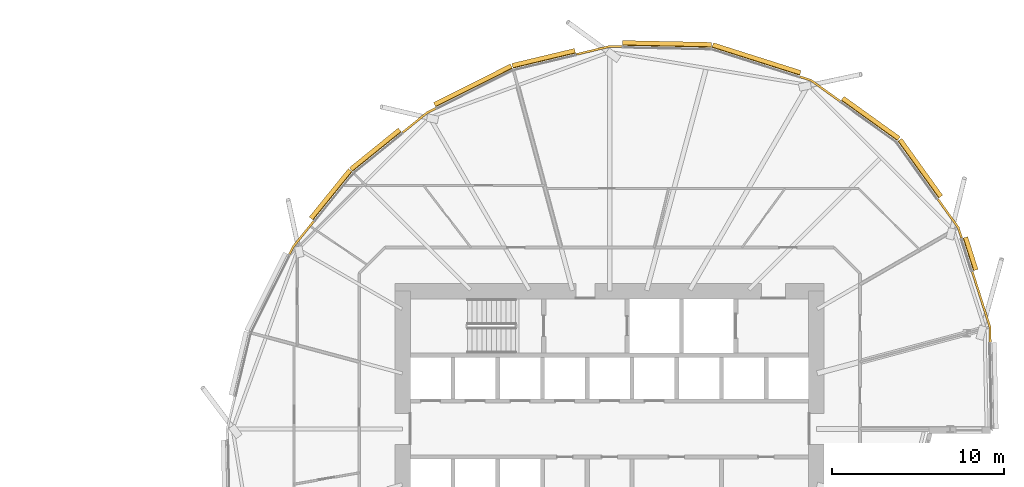
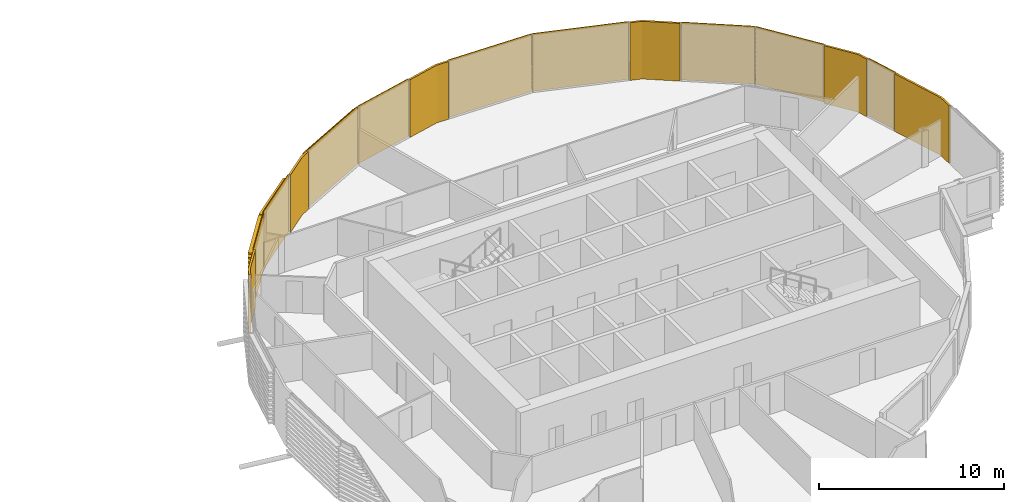
# One storey, part 38 of 38: 15 coverings.
"""IFC4 building model written with IfcOpenShell, lengths in metres."""

from ifc_helpers import new_model, si_unit, direction, frame, origin, place, context, subcontext, project, spatial, polyline, outline, extrude, material, layer, layer_set, material_profile, profile_set, type_object, element, save


model = new_model("IFC4")

# Units and contexts
model_context = context("Model", 3, precision=1e-05, world=origin(), true_north=direction((0.0, 1.0)))
body_context = subcontext(model_context, "Body", "Model", "MODEL_VIEW")
ifc_project = project(units=[si_unit("LENGTHUNIT", "METRE"), si_unit("AREAUNIT", "SQUARE_METRE"), si_unit("VOLUMEUNIT", "CUBIC_METRE"), si_unit("PLANEANGLEUNIT", "RADIAN"), si_unit("MASSUNIT", "GRAM", prefix="KILO")], contexts=[model_context])

# Site, building, storey
site_placement = place(None, origin())
site = spatial("IfcSite", under=ifc_project, at=site_placement, CompositionType="ELEMENT")
building_placement = place(site_placement, origin())
building = spatial("IfcBuilding", under=site, at=building_placement, Name="Rimbun Link Towers", CompositionType="ELEMENT")
storey_placement = place(building_placement, frame((0.0, 0.0, 71.800048828125)))
storey = spatial("IfcBuildingStorey", under=building, at=storey_placement, Name="L17", CompositionType="ELEMENT", Elevation=71.800048828125)

# Coverings
ifc_material_1 = material(Name="Terracotta", Category="masonry")
ifc_layer = layer(ifc_material_1, 0.1201171875)
ifc_layer_set = layer_set([ifc_layer], Name="LINK PIER terracotta cladding 120")
covering_type_1 = type_object("IfcCoveringType", Name="LINK PIER terracotta cladding 120", PredefinedType="CLADDING", material=ifc_layer_set)
covering_1_placement = place(storey_placement, origin())
element("IfcCovering", 1, at=covering_1_placement, inside=storey, type_object=covering_type_1, Name="LINK PIER cladding", PredefinedType="CLADDING", context=body_context, shape_type="SweptSolid", body=[
    extrude(outline(polyline([(42.759765625, 20.378662109375), (43.398193359375, 20.175537109375), (45.080078125, 18.96875), (45.150146484375, 19.066162109375), (43.452880859375, 20.2841796875), (42.796142578125, 20.492919921875), (42.759765625, 20.378662109375)])), origin(), (0.0, 0.0, 1.0), 3.800048828125),
])
covering_2_placement = place(storey_placement, origin())
element("IfcCovering", 2, at=covering_2_placement, inside=storey, type_object=covering_type_1, Name="LINK PIER cladding", PredefinedType="CLADDING", context=body_context, shape_type="SweptSolid", body=[
    extrude(outline(polyline([(29.833984375, 21.670654296875), (31.75, 22.12890625), (32.4697265625, 22.11376953125), (32.472412109375, 22.23388671875), (31.737060546875, 22.249267578125), (29.80615234375, 21.78759765625), (29.833984375, 21.670654296875)])), origin(), (0.0, 0.0, 1.0), 3.800048828125),
])
covering_3_placement = place(storey_placement, origin())
element("IfcCovering", 3, at=covering_3_placement, inside=storey, type_object=covering_type_1, Name="LINK PIER cladding", PredefinedType="CLADDING", context=body_context, shape_type="SweptSolid", body=[
    extrude(outline(polyline([(19.77490234375, 17.146240234375), (21.189453125, 18.291259765625), (21.698974609375, 18.547119140625), (21.64501953125, 18.654296875), (21.1240234375, 18.392822265625), (19.699462890625, 17.239501953125), (19.77490234375, 17.146240234375)])), origin(), (0.0, 0.0, 1.0), 3.800048828125),
])
covering_4_placement = place(storey_placement, origin())
element("IfcCovering", 4, at=covering_4_placement, inside=storey, type_object=covering_type_1, Name="LINK PIER cladding", PredefinedType="CLADDING", context=body_context, shape_type="SweptSolid", body=[
    extrude(outline(polyline([(13.225341796875, 10.095703125), (13.458740234375, 10.560546875), (14.63525390625, 12.013916015625), (14.5419921875, 12.089599609375), (13.357177734375, 10.6259765625), (13.1181640625, 10.149658203125), (13.225341796875, 10.095703125)])), origin(), (0.0, 0.0, 1.0), 3.800048828125),
])
covering_5_placement = place(storey_placement, origin())
element("IfcCovering", 5, at=covering_5_placement, inside=storey, type_object=covering_type_1, Name="LINK PIER cladding", PredefinedType="CLADDING", context=body_context, shape_type="SweptSolid", body=[
    extrude(outline(polyline([(52.7333984375, 9.107666015625), (53.7548828125, 5.896240234375), (53.773193359375, 5.0263671875), (53.89306640625, 5.02880859375), (53.87451171875, 5.916015625), (52.847900390625, 9.14404296875), (52.7333984375, 9.107666015625)])), origin(), (0.0, 0.0, 1.0), 3.800048828125),
])
covering_6_placement = place(storey_placement, origin())
element("IfcCovering", 6, at=covering_6_placement, inside=storey, type_object=covering_type_1, Name="LINK PIER cladding", PredefinedType="CLADDING", context=body_context, shape_type="SweptSolid", body=[
    extrude(outline(polyline([(50.747802734375, 13.28955078125), (51.925537109375, 11.648193359375), (52.11328125, 11.057373046875), (52.227783203125, 11.09375), (52.0341796875, 11.702880859375), (50.84521484375, 13.359375), (50.747802734375, 13.28955078125)])), origin(), (0.0, 0.0, 1.0), 3.800048828125),
])
ifc_material_2 = material(Name="Terracotta", Category="masonry")
ifc_material_profile = material_profile(ifc_material_2, outline(polyline([(0.123046875, 0.0), (0.1630859375, 0.0), (0.1630859375, 0.10009765625), (0.423095703125, 0.10009765625), (0.423095703125, 0.219970703125), (0.1630859375, 0.219970703125), (0.1630859375, 0.39990234375), (0.423095703125, 0.39990234375), (0.423095703125, 0.52001953125), (0.1630859375, 0.52001953125), (0.1630859375, 0.699951171875), (0.423095703125, 0.699951171875), (0.423095703125, 0.820068359375), (0.1630859375, 0.820068359375), (0.1630859375, 1.0), (0.423095703125, 1.0), (0.423095703125, 1.1201171875), (0.1630859375, 1.1201171875), (0.1630859375, 1.300048828125), (0.423095703125, 1.300048828125), (0.423095703125, 1.419921875), (0.1630859375, 1.419921875), (0.1630859375, 1.60009765625), (0.423095703125, 1.60009765625), (0.423095703125, 1.719970703125), (0.1630859375, 1.719970703125), (0.1630859375, 1.89990234375), (0.423095703125, 1.89990234375), (0.423095703125, 2.02001953125), (0.1630859375, 2.02001953125), (0.1630859375, 2.199951171875), (0.423095703125, 2.199951171875), (0.423095703125, 2.320068359375), (0.1630859375, 2.320068359375), (0.1630859375, 2.5), (0.423095703125, 2.5), (0.423095703125, 2.6201171875), (0.1630859375, 2.6201171875), (0.1630859375, 2.800048828125), (0.423095703125, 2.800048828125), (0.423095703125, 2.919921875), (0.1630859375, 2.919921875), (0.1630859375, 3.10009765625), (0.423095703125, 3.10009765625), (0.423095703125, 3.219970703125), (0.1630859375, 3.219970703125), (0.1630859375, 3.39990234375), (0.423095703125, 3.39990234375), (0.423095703125, 3.52001953125), (0.1630859375, 3.52001953125), (0.1630859375, 3.800048828125), (0.123046875, 3.800048828125), (0.123046875, 0.0)])), Name="BAGUETTE 120X300")
ifc_profile_set = profile_set([ifc_material_profile], Name="Terracotta")
covering_type_2 = type_object("IfcCoveringType", Name="TERRACOTTA BAGUETTE 120X300 H3800", PredefinedType="CLADDING", material=ifc_profile_set)
covering_7_placement = place(storey_placement, frame((45.1044921875, 18.951171875, 0.0), z_axis=(0.812481209702, -0.582987378835, 0.0), x_axis=(0.582987378835, 0.812481209702, 0.0)))
element("IfcCovering", 7, at=covering_7_placement, inside=storey, type_object=covering_type_2, Name="TERRACOTTA BAGUETTE", PredefinedType="CLADDING", context=body_context, shape_type="SweptSolid", body=[
    extrude(outline(polyline([(0.123046875, 0.0), (0.1630859375, 0.0), (0.1630859375, 0.10009765625), (0.423095703125, 0.10009765625), (0.423095703125, 0.219970703125), (0.1630859375, 0.219970703125), (0.1630859375, 0.39990234375), (0.423095703125, 0.39990234375), (0.423095703125, 0.52001953125), (0.1630859375, 0.52001953125), (0.1630859375, 0.699951171875), (0.423095703125, 0.699951171875), (0.423095703125, 0.820068359375), (0.1630859375, 0.820068359375), (0.1630859375, 1.0), (0.423095703125, 1.0), (0.423095703125, 1.1201171875), (0.1630859375, 1.1201171875), (0.1630859375, 1.300048828125), (0.423095703125, 1.300048828125), (0.423095703125, 1.419921875), (0.1630859375, 1.419921875), (0.1630859375, 1.60009765625), (0.423095703125, 1.60009765625), (0.423095703125, 1.719970703125), (0.1630859375, 1.719970703125), (0.1630859375, 1.89990234375), (0.423095703125, 1.89990234375), (0.423095703125, 2.02001953125), (0.1630859375, 2.02001953125), (0.1630859375, 2.199951171875), (0.423095703125, 2.199951171875), (0.423095703125, 2.320068359375), (0.1630859375, 2.320068359375), (0.1630859375, 2.5), (0.423095703125, 2.5), (0.423095703125, 2.6201171875), (0.1630859375, 2.6201171875), (0.1630859375, 2.800048828125), (0.423095703125, 2.800048828125), (0.423095703125, 2.919921875), (0.1630859375, 2.919921875), (0.1630859375, 3.10009765625), (0.423095703125, 3.10009765625), (0.423095703125, 3.219970703125), (0.1630859375, 3.219970703125), (0.1630859375, 3.39990234375), (0.423095703125, 3.39990234375), (0.423095703125, 3.52001953125), (0.1630859375, 3.52001953125), (0.1630859375, 3.800048828125), (0.123046875, 3.800048828125), (0.123046875, 0.0)])), origin(), (0.0, 0.0, 1.0), 4.010498046875),
])
covering_8_placement = place(storey_placement, frame((37.646240234375, 22.0048828125, 0.0), z_axis=(0.952966632443, -0.303075233978, 0.0), x_axis=(0.303075233978, 0.952966632443, 0.0)))
element("IfcCovering", 8, at=covering_8_placement, inside=storey, type_object=covering_type_2, Name="TERRACOTTA BAGUETTE", PredefinedType="CLADDING", context=body_context, shape_type="SweptSolid", body=[
    extrude(outline(polyline([(0.123046875, 0.0), (0.1630859375, 0.0), (0.1630859375, 0.10009765625), (0.423095703125, 0.10009765625), (0.423095703125, 0.219970703125), (0.1630859375, 0.219970703125), (0.1630859375, 0.39990234375), (0.423095703125, 0.39990234375), (0.423095703125, 0.52001953125), (0.1630859375, 0.52001953125), (0.1630859375, 0.699951171875), (0.423095703125, 0.699951171875), (0.423095703125, 0.820068359375), (0.1630859375, 0.820068359375), (0.1630859375, 1.0), (0.423095703125, 1.0), (0.423095703125, 1.1201171875), (0.1630859375, 1.1201171875), (0.1630859375, 1.300048828125), (0.423095703125, 1.300048828125), (0.423095703125, 1.419921875), (0.1630859375, 1.419921875), (0.1630859375, 1.60009765625), (0.423095703125, 1.60009765625), (0.423095703125, 1.719970703125), (0.1630859375, 1.719970703125), (0.1630859375, 1.89990234375), (0.423095703125, 1.89990234375), (0.423095703125, 2.02001953125), (0.1630859375, 2.02001953125), (0.1630859375, 2.199951171875), (0.423095703125, 2.199951171875), (0.423095703125, 2.320068359375), (0.1630859375, 2.320068359375), (0.1630859375, 2.5), (0.423095703125, 2.5), (0.423095703125, 2.6201171875), (0.1630859375, 2.6201171875), (0.1630859375, 2.800048828125), (0.423095703125, 2.800048828125), (0.423095703125, 2.919921875), (0.1630859375, 2.919921875), (0.1630859375, 3.10009765625), (0.423095703125, 3.10009765625), (0.423095703125, 3.219970703125), (0.1630859375, 3.219970703125), (0.1630859375, 3.39990234375), (0.423095703125, 3.39990234375), (0.423095703125, 3.52001953125), (0.1630859375, 3.52001953125), (0.1630859375, 3.800048828125), (0.123046875, 3.800048828125), (0.123046875, 0.0)])), origin(), (0.0, 0.0, 1.0), 5.3359375),
])
covering_9_placement = place(storey_placement, frame((32.499755859375, 22.11328125, 0.0), z_axis=(0.999778256826, -0.021057948104, 0.0), x_axis=(0.021057948104, 0.999778256826, 0.0)))
element("IfcCovering", 9, at=covering_9_placement, inside=storey, type_object=covering_type_2, Name="TERRACOTTA BAGUETTE", PredefinedType="CLADDING", context=body_context, shape_type="SweptSolid", body=[
    extrude(outline(polyline([(0.123046875, 0.0), (0.1630859375, 0.0), (0.1630859375, 0.10009765625), (0.423095703125, 0.10009765625), (0.423095703125, 0.219970703125), (0.1630859375, 0.219970703125), (0.1630859375, 0.39990234375), (0.423095703125, 0.39990234375), (0.423095703125, 0.52001953125), (0.1630859375, 0.52001953125), (0.1630859375, 0.699951171875), (0.423095703125, 0.699951171875), (0.423095703125, 0.820068359375), (0.1630859375, 0.820068359375), (0.1630859375, 1.0), (0.423095703125, 1.0), (0.423095703125, 1.1201171875), (0.1630859375, 1.1201171875), (0.1630859375, 1.300048828125), (0.423095703125, 1.300048828125), (0.423095703125, 1.419921875), (0.1630859375, 1.419921875), (0.1630859375, 1.60009765625), (0.423095703125, 1.60009765625), (0.423095703125, 1.719970703125), (0.1630859375, 1.719970703125), (0.1630859375, 1.89990234375), (0.423095703125, 1.89990234375), (0.423095703125, 2.02001953125), (0.1630859375, 2.02001953125), (0.1630859375, 2.199951171875), (0.423095703125, 2.199951171875), (0.423095703125, 2.320068359375), (0.1630859375, 2.320068359375), (0.1630859375, 2.5), (0.423095703125, 2.5), (0.423095703125, 2.6201171875), (0.1630859375, 2.6201171875), (0.1630859375, 2.800048828125), (0.423095703125, 2.800048828125), (0.423095703125, 2.919921875), (0.1630859375, 2.919921875), (0.1630859375, 3.10009765625), (0.423095703125, 3.10009765625), (0.423095703125, 3.219970703125), (0.1630859375, 3.219970703125), (0.1630859375, 3.39990234375), (0.423095703125, 3.39990234375), (0.423095703125, 3.52001953125), (0.1630859375, 3.52001953125), (0.1630859375, 3.800048828125), (0.123046875, 3.800048828125), (0.123046875, 0.0)])), origin(), (0.0, 0.0, 1.0), 5.147705078125),
])
covering_10_placement = place(storey_placement, frame((26.177490234375, 20.79638671875, 0.0), z_axis=(0.972578891654, 0.232573213222, 0.0), x_axis=(-0.232573213222, 0.972578891654, 0.0)))
element("IfcCovering", 10, at=covering_10_placement, inside=storey, type_object=covering_type_2, Name="TERRACOTTA BAGUETTE", PredefinedType="CLADDING", context=body_context, shape_type="SweptSolid", body=[
    extrude(outline(polyline([(0.123046875, 0.0), (0.1630859375, 0.0), (0.1630859375, 0.10009765625), (0.423095703125, 0.10009765625), (0.423095703125, 0.219970703125), (0.1630859375, 0.219970703125), (0.1630859375, 0.39990234375), (0.423095703125, 0.39990234375), (0.423095703125, 0.52001953125), (0.1630859375, 0.52001953125), (0.1630859375, 0.699951171875), (0.423095703125, 0.699951171875), (0.423095703125, 0.820068359375), (0.1630859375, 0.820068359375), (0.1630859375, 1.0), (0.423095703125, 1.0), (0.423095703125, 1.1201171875), (0.1630859375, 1.1201171875), (0.1630859375, 1.300048828125), (0.423095703125, 1.300048828125), (0.423095703125, 1.419921875), (0.1630859375, 1.419921875), (0.1630859375, 1.60009765625), (0.423095703125, 1.60009765625), (0.423095703125, 1.719970703125), (0.1630859375, 1.719970703125), (0.1630859375, 1.89990234375), (0.423095703125, 1.89990234375), (0.423095703125, 2.02001953125), (0.1630859375, 2.02001953125), (0.1630859375, 2.199951171875), (0.423095703125, 2.199951171875), (0.423095703125, 2.320068359375), (0.1630859375, 2.320068359375), (0.1630859375, 2.5), (0.423095703125, 2.5), (0.423095703125, 2.6201171875), (0.1630859375, 2.6201171875), (0.1630859375, 2.800048828125), (0.423095703125, 2.800048828125), (0.423095703125, 2.919921875), (0.1630859375, 2.919921875), (0.1630859375, 3.10009765625), (0.423095703125, 3.10009765625), (0.423095703125, 3.219970703125), (0.1630859375, 3.219970703125), (0.1630859375, 3.39990234375), (0.423095703125, 3.39990234375), (0.423095703125, 3.52001953125), (0.1630859375, 3.52001953125), (0.1630859375, 3.800048828125), (0.123046875, 3.800048828125), (0.123046875, 0.0)])), origin(), (0.0, 0.0, 1.0), 3.729736328125),
])
covering_11_placement = place(storey_placement, frame((21.7255859375, 18.560546875, 0.0), z_axis=(0.893631877808, 0.44880069849, 0.0), x_axis=(-0.44880069849, 0.893631877808, 0.0)))
element("IfcCovering", 11, at=covering_11_placement, inside=storey, type_object=covering_type_2, Name="TERRACOTTA BAGUETTE", PredefinedType="CLADDING", context=body_context, shape_type="SweptSolid", body=[
    extrude(outline(polyline([(0.123046875, 0.0), (0.1630859375, 0.0), (0.1630859375, 0.10009765625), (0.423095703125, 0.10009765625), (0.423095703125, 0.219970703125), (0.1630859375, 0.219970703125), (0.1630859375, 0.39990234375), (0.423095703125, 0.39990234375), (0.423095703125, 0.52001953125), (0.1630859375, 0.52001953125), (0.1630859375, 0.699951171875), (0.423095703125, 0.699951171875), (0.423095703125, 0.820068359375), (0.1630859375, 0.820068359375), (0.1630859375, 1.0), (0.423095703125, 1.0), (0.423095703125, 1.1201171875), (0.1630859375, 1.1201171875), (0.1630859375, 1.300048828125), (0.423095703125, 1.300048828125), (0.423095703125, 1.419921875), (0.1630859375, 1.419921875), (0.1630859375, 1.60009765625), (0.423095703125, 1.60009765625), (0.423095703125, 1.719970703125), (0.1630859375, 1.719970703125), (0.1630859375, 1.89990234375), (0.423095703125, 1.89990234375), (0.423095703125, 2.02001953125), (0.1630859375, 2.02001953125), (0.1630859375, 2.199951171875), (0.423095703125, 2.199951171875), (0.423095703125, 2.320068359375), (0.1630859375, 2.320068359375), (0.1630859375, 2.5), (0.423095703125, 2.5), (0.423095703125, 2.6201171875), (0.1630859375, 2.6201171875), (0.1630859375, 2.800048828125), (0.423095703125, 2.800048828125), (0.423095703125, 2.919921875), (0.1630859375, 2.919921875), (0.1630859375, 3.10009765625), (0.423095703125, 3.10009765625), (0.423095703125, 3.219970703125), (0.1630859375, 3.219970703125), (0.1630859375, 3.39990234375), (0.423095703125, 3.39990234375), (0.423095703125, 3.52001953125), (0.1630859375, 3.52001953125), (0.1630859375, 3.800048828125), (0.123046875, 3.800048828125), (0.123046875, 0.0)])), origin(), (0.0, 0.0, 1.0), 4.981689453125),
])
covering_12_placement = place(storey_placement, frame((16.9169921875, 14.8330078125, 0.0), z_axis=(0.777263579055, 0.629175117654, 0.0), x_axis=(-0.629175117654, 0.777263579055, 0.0)))
element("IfcCovering", 12, at=covering_12_placement, inside=storey, type_object=covering_type_2, Name="TERRACOTTA BAGUETTE", PredefinedType="CLADDING", context=body_context, shape_type="SweptSolid", body=[
    extrude(outline(polyline([(0.123046875, 0.0), (0.1630859375, 0.0), (0.1630859375, 0.10009765625), (0.423095703125, 0.10009765625), (0.423095703125, 0.219970703125), (0.1630859375, 0.219970703125), (0.1630859375, 0.39990234375), (0.423095703125, 0.39990234375), (0.423095703125, 0.52001953125), (0.1630859375, 0.52001953125), (0.1630859375, 0.699951171875), (0.423095703125, 0.699951171875), (0.423095703125, 0.820068359375), (0.1630859375, 0.820068359375), (0.1630859375, 1.0), (0.423095703125, 1.0), (0.423095703125, 1.1201171875), (0.1630859375, 1.1201171875), (0.1630859375, 1.300048828125), (0.423095703125, 1.300048828125), (0.423095703125, 1.419921875), (0.1630859375, 1.419921875), (0.1630859375, 1.60009765625), (0.423095703125, 1.60009765625), (0.423095703125, 1.719970703125), (0.1630859375, 1.719970703125), (0.1630859375, 1.89990234375), (0.423095703125, 1.89990234375), (0.423095703125, 2.02001953125), (0.1630859375, 2.02001953125), (0.1630859375, 2.199951171875), (0.423095703125, 2.199951171875), (0.423095703125, 2.320068359375), (0.1630859375, 2.320068359375), (0.1630859375, 2.5), (0.423095703125, 2.5), (0.423095703125, 2.6201171875), (0.1630859375, 2.6201171875), (0.1630859375, 2.800048828125), (0.423095703125, 2.800048828125), (0.423095703125, 2.919921875), (0.1630859375, 2.919921875), (0.1630859375, 3.10009765625), (0.423095703125, 3.10009765625), (0.423095703125, 3.219970703125), (0.1630859375, 3.219970703125), (0.1630859375, 3.39990234375), (0.423095703125, 3.39990234375), (0.423095703125, 3.52001953125), (0.1630859375, 3.52001953125), (0.1630859375, 3.800048828125), (0.123046875, 3.800048828125), (0.123046875, 0.0)])), origin(), (0.0, 0.0, 1.0), 3.646728515625),
])
covering_13_placement = place(storey_placement, frame((14.654052734375, 12.037353515625, 0.0), z_axis=(0.629163080132, 0.777273322968, 0.0), x_axis=(-0.777273322968, 0.629163080132, 0.0)))
element("IfcCovering", 13, at=covering_13_placement, inside=storey, type_object=covering_type_2, Name="TERRACOTTA BAGUETTE", PredefinedType="CLADDING", context=body_context, shape_type="SweptSolid", body=[
    extrude(outline(polyline([(0.123046875, 0.0), (0.1630859375, 0.0), (0.1630859375, 0.10009765625), (0.423095703125, 0.10009765625), (0.423095703125, 0.219970703125), (0.1630859375, 0.219970703125), (0.1630859375, 0.39990234375), (0.423095703125, 0.39990234375), (0.423095703125, 0.52001953125), (0.1630859375, 0.52001953125), (0.1630859375, 0.699951171875), (0.423095703125, 0.699951171875), (0.423095703125, 0.820068359375), (0.1630859375, 0.820068359375), (0.1630859375, 1.0), (0.423095703125, 1.0), (0.423095703125, 1.1201171875), (0.1630859375, 1.1201171875), (0.1630859375, 1.300048828125), (0.423095703125, 1.300048828125), (0.423095703125, 1.419921875), (0.1630859375, 1.419921875), (0.1630859375, 1.60009765625), (0.423095703125, 1.60009765625), (0.423095703125, 1.719970703125), (0.1630859375, 1.719970703125), (0.1630859375, 1.89990234375), (0.423095703125, 1.89990234375), (0.423095703125, 2.02001953125), (0.1630859375, 2.02001953125), (0.1630859375, 2.199951171875), (0.423095703125, 2.199951171875), (0.423095703125, 2.320068359375), (0.1630859375, 2.320068359375), (0.1630859375, 2.5), (0.423095703125, 2.5), (0.423095703125, 2.6201171875), (0.1630859375, 2.6201171875), (0.1630859375, 2.800048828125), (0.423095703125, 2.800048828125), (0.423095703125, 2.919921875), (0.1630859375, 2.919921875), (0.1630859375, 3.10009765625), (0.423095703125, 3.10009765625), (0.423095703125, 3.219970703125), (0.1630859375, 3.219970703125), (0.1630859375, 3.39990234375), (0.423095703125, 3.39990234375), (0.423095703125, 3.52001953125), (0.1630859375, 3.52001953125), (0.1630859375, 3.800048828125), (0.123046875, 3.800048828125), (0.123046875, 0.0)])), origin(), (0.0, 0.0, 1.0), 3.5966796875),
])
covering_14_placement = place(storey_placement, frame((52.12255859375, 11.02880859375, 0.0), z_axis=(0.303031130218, -0.952980657788, 0.0), x_axis=(0.952980657788, 0.303031130218, 0.0)))
element("IfcCovering", 14, at=covering_14_placement, inside=storey, type_object=covering_type_2, Name="TERRACOTTA BAGUETTE", PredefinedType="CLADDING", context=body_context, shape_type="SweptSolid", body=[
    extrude(outline(polyline([(0.123046875, 0.0), (0.1630859375, 0.0), (0.1630859375, 0.10009765625), (0.423095703125, 0.10009765625), (0.423095703125, 0.219970703125), (0.1630859375, 0.219970703125), (0.1630859375, 0.39990234375), (0.423095703125, 0.39990234375), (0.423095703125, 0.52001953125), (0.1630859375, 0.52001953125), (0.1630859375, 0.699951171875), (0.423095703125, 0.699951171875), (0.423095703125, 0.820068359375), (0.1630859375, 0.820068359375), (0.1630859375, 1.0), (0.423095703125, 1.0), (0.423095703125, 1.1201171875), (0.1630859375, 1.1201171875), (0.1630859375, 1.300048828125), (0.423095703125, 1.300048828125), (0.423095703125, 1.419921875), (0.1630859375, 1.419921875), (0.1630859375, 1.60009765625), (0.423095703125, 1.60009765625), (0.423095703125, 1.719970703125), (0.1630859375, 1.719970703125), (0.1630859375, 1.89990234375), (0.423095703125, 1.89990234375), (0.423095703125, 2.02001953125), (0.1630859375, 2.02001953125), (0.1630859375, 2.199951171875), (0.423095703125, 2.199951171875), (0.423095703125, 2.320068359375), (0.1630859375, 2.320068359375), (0.1630859375, 2.5), (0.423095703125, 2.5), (0.423095703125, 2.6201171875), (0.1630859375, 2.6201171875), (0.1630859375, 2.800048828125), (0.423095703125, 2.800048828125), (0.423095703125, 2.919921875), (0.1630859375, 2.919921875), (0.1630859375, 3.10009765625), (0.423095703125, 3.10009765625), (0.423095703125, 3.219970703125), (0.1630859375, 3.219970703125), (0.1630859375, 3.39990234375), (0.423095703125, 3.39990234375), (0.423095703125, 3.52001953125), (0.1630859375, 3.52001953125), (0.1630859375, 3.800048828125), (0.123046875, 3.800048828125), (0.123046875, 0.0)])), origin(), (0.0, 0.0, 1.0), 1.98583984375),
])
covering_15_placement = place(storey_placement, frame((48.363037109375, 16.613037109375, 0.0), z_axis=(0.583022639923, -0.812455907319, 0.0), x_axis=(0.812455907319, 0.583022639923, 0.0)))
element("IfcCovering", 15, at=covering_15_placement, inside=storey, type_object=covering_type_2, Name="TERRACOTTA BAGUETTE", PredefinedType="CLADDING", context=body_context, shape_type="SweptSolid", body=[
    extrude(outline(polyline([(0.123046875, 0.0), (0.1630859375, 0.0), (0.1630859375, 0.10009765625), (0.423095703125, 0.10009765625), (0.423095703125, 0.219970703125), (0.1630859375, 0.219970703125), (0.1630859375, 0.39990234375), (0.423095703125, 0.39990234375), (0.423095703125, 0.52001953125), (0.1630859375, 0.52001953125), (0.1630859375, 0.699951171875), (0.423095703125, 0.699951171875), (0.423095703125, 0.820068359375), (0.1630859375, 0.820068359375), (0.1630859375, 1.0), (0.423095703125, 1.0), (0.423095703125, 1.1201171875), (0.1630859375, 1.1201171875), (0.1630859375, 1.300048828125), (0.423095703125, 1.300048828125), (0.423095703125, 1.419921875), (0.1630859375, 1.419921875), (0.1630859375, 1.60009765625), (0.423095703125, 1.60009765625), (0.423095703125, 1.719970703125), (0.1630859375, 1.719970703125), (0.1630859375, 1.89990234375), (0.423095703125, 1.89990234375), (0.423095703125, 2.02001953125), (0.1630859375, 2.02001953125), (0.1630859375, 2.199951171875), (0.423095703125, 2.199951171875), (0.423095703125, 2.320068359375), (0.1630859375, 2.320068359375), (0.1630859375, 2.5), (0.423095703125, 2.5), (0.423095703125, 2.6201171875), (0.1630859375, 2.6201171875), (0.1630859375, 2.800048828125), (0.423095703125, 2.800048828125), (0.423095703125, 2.919921875), (0.1630859375, 2.919921875), (0.1630859375, 3.10009765625), (0.423095703125, 3.10009765625), (0.423095703125, 3.219970703125), (0.1630859375, 3.219970703125), (0.1630859375, 3.39990234375), (0.423095703125, 3.39990234375), (0.423095703125, 3.52001953125), (0.1630859375, 3.52001953125), (0.1630859375, 3.800048828125), (0.123046875, 3.800048828125), (0.123046875, 0.0)])), origin(), (0.0, 0.0, 1.0), 4.060546875),
])

save(model, "model.ifc")
